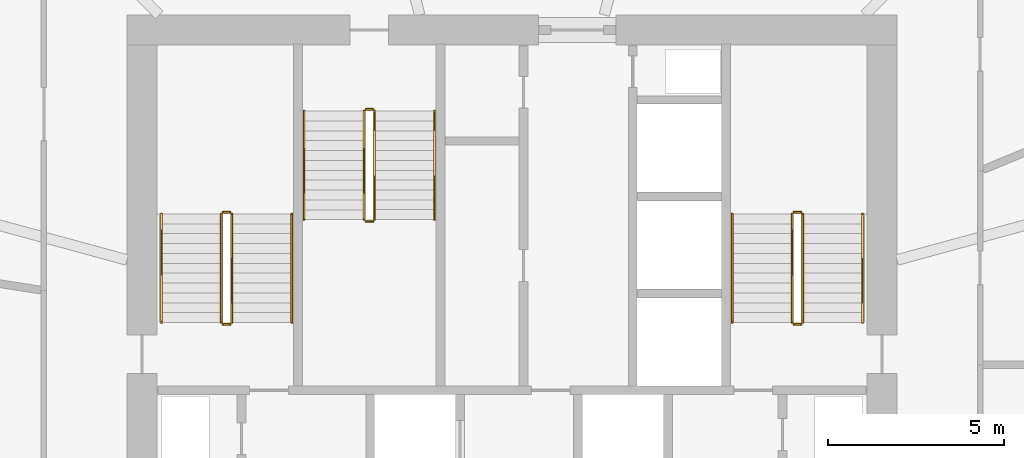
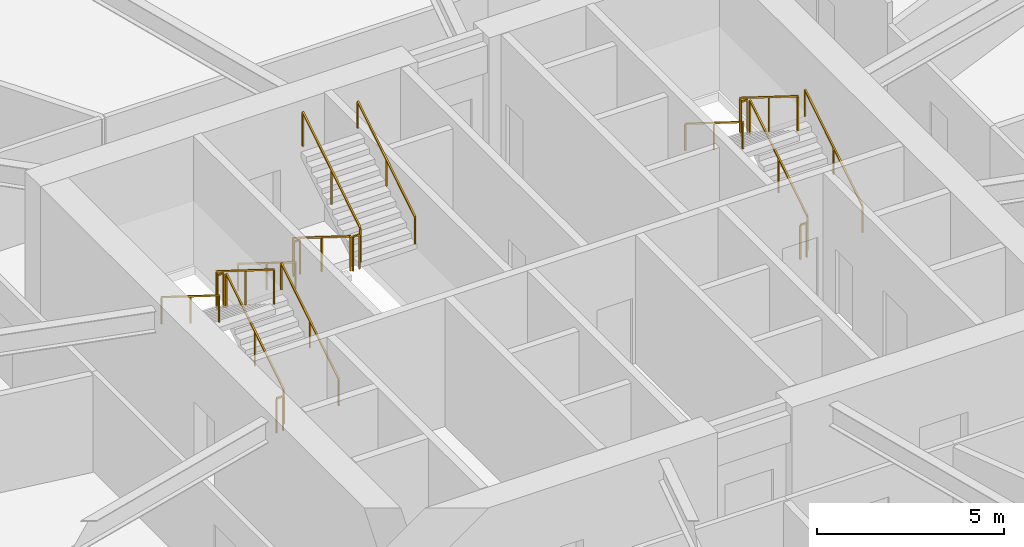
# One storey, part 25 of 25: 18 railings.
"""IFC4 building model written with IfcOpenShell, lengths in metres."""

from ifc_helpers import new_model, si_unit, direction, frame, origin, origin_2d, place, context, subcontext, project, spatial, rectangle, extrude, material, type_object, element, save


model = new_model("IFC4")

# Units and contexts
model_context = context("Model", 3, precision=1e-05, world=origin(), true_north=direction((0.0, 1.0)))
body_context = subcontext(model_context, "Body", "Model", "MODEL_VIEW")
ifc_project = project(units=[si_unit("LENGTHUNIT", "METRE"), si_unit("AREAUNIT", "SQUARE_METRE"), si_unit("VOLUMEUNIT", "CUBIC_METRE"), si_unit("PLANEANGLEUNIT", "RADIAN"), si_unit("MASSUNIT", "GRAM", prefix="KILO")], contexts=[model_context])

# Site, building, storey
site_placement = place(None, origin())
site = spatial("IfcSite", under=ifc_project, at=site_placement, CompositionType="ELEMENT")
building_placement = place(site_placement, origin())
building = spatial("IfcBuilding", under=site, at=building_placement, Name="Zuhravey Tower", CompositionType="ELEMENT")
storey_placement = place(building_placement, frame((0.0, 0.0, 70.800048828125)))
storey = spatial("IfcBuildingStorey", under=building, at=storey_placement, Name="L17", CompositionType="ELEMENT", Elevation=70.800048828125)

# Railings
ifc_material_1 = material(Name="Brushed stainless steel", Category="steel")
railing_type_1 = type_object("IfcRailingType", Name="Stair Wall Handrail 900", PredefinedType="HANDRAIL", material=ifc_material_1)
railing_1_placement = place(storey_placement, frame((29.75, 33.199951171875, 0.175048828125)))
element("IfcRailing", 1, at=railing_1_placement, inside=storey, type_object=railing_type_1, Name="L17 ST1 stair handrail 1", PredefinedType="HANDRAIL", context=body_context, shape_type="SweptSolid", body=[
    extrude(rectangle(XDim=0.048095703125, YDim=0.048095703125, at=origin_2d()), frame((0.0, 0.001708984375, 0.876953125), z_axis=(0.0, 0.848028513186, 0.529950602248), x_axis=(-1.0, 0.0, 0.0)), (0.0, 0.0, 1.0), 3.6279296875),
    extrude(rectangle(XDim=0.0419921875, YDim=0.0419921875, at=origin_2d()), origin(), (0.0, 0.0, 1.0), 0.849853515625),
    extrude(rectangle(XDim=0.0419921875, YDim=0.0419921875, at=origin_2d()), frame((0.0, 1.5400390625, 0.96240234375)), (0.0, 0.0, 1.0), 0.849853515625),
    extrude(rectangle(XDim=0.0419921875, YDim=0.0419921875, at=origin_2d()), frame((0.0, 3.080078125, 1.9248046875)), (0.0, 0.0, 1.0), 0.849853515625),
])
railing_2_placement = place(storey_placement, frame((26.050048828125, 36.280029296875, 2.27490234375)))
element("IfcRailing", 2, at=railing_2_placement, inside=storey, type_object=railing_type_1, Name="L17 ST1 stair handrail 2", PredefinedType="HANDRAIL", context=body_context, shape_type="SweptSolid", body=[
    extrude(rectangle(XDim=0.048095703125, YDim=0.048095703125, at=origin_2d()), frame((0.0, -0.001708984375, 0.876953125), z_axis=(0.0, -0.847998304005, 0.529998940003), x_axis=(1.0, 0.0, 0.0)), (0.0, 0.0, 1.0), 3.628173828125),
    extrude(rectangle(XDim=0.0419921875, YDim=0.0419921875, at=origin_2d()), origin(), (0.0, 0.0, 1.0), 0.849853515625),
    extrude(rectangle(XDim=0.0419921875, YDim=0.0419921875, at=origin_2d()), frame((0.0, -1.5400390625, 0.96240234375)), (0.0, 0.0, 1.0), 0.849853515625),
    extrude(rectangle(XDim=0.0419921875, YDim=0.0419921875, at=origin_2d()), frame((0.0, -3.080078125, 1.925048828125)), (0.0, 0.0, 1.0), 0.849853515625),
])
railing_3_placement = place(storey_placement, frame((45.949951171875, 33.199951171875, 0.175048828125)))
element("IfcRailing", 3, at=railing_3_placement, inside=storey, type_object=railing_type_1, Name="L17 ST2 stair handrail 1", PredefinedType="HANDRAIL", context=body_context, shape_type="SweptSolid", body=[
    extrude(rectangle(XDim=0.048095703125, YDim=0.048095703125, at=origin_2d()), frame((0.0, 0.001708984375, 0.876953125), z_axis=(0.0, 0.848028513186, 0.529950602248), x_axis=(-1.0, 0.0, 0.0)), (0.0, 0.0, 1.0), 3.6279296875),
    extrude(rectangle(XDim=0.0419921875, YDim=0.0419921875, at=origin_2d()), origin(), (0.0, 0.0, 1.0), 0.849853515625),
    extrude(rectangle(XDim=0.0419921875, YDim=0.0419921875, at=origin_2d()), frame((0.0, 1.5400390625, 0.96240234375)), (0.0, 0.0, 1.0), 0.849853515625),
    extrude(rectangle(XDim=0.0419921875, YDim=0.0419921875, at=origin_2d()), frame((0.0, 3.080078125, 1.9248046875)), (0.0, 0.0, 1.0), 0.849853515625),
])
railing_4_placement = place(storey_placement, frame((42.25, 36.280029296875, 2.27490234375)))
element("IfcRailing", 4, at=railing_4_placement, inside=storey, type_object=railing_type_1, Name="L17 ST2 stair handrail 2", PredefinedType="HANDRAIL", context=body_context, shape_type="SweptSolid", body=[
    extrude(rectangle(XDim=0.048095703125, YDim=0.048095703125, at=origin_2d()), frame((0.0, -0.001708984375, 0.876953125), z_axis=(0.0, -0.847998304005, 0.529998940003), x_axis=(1.0, 0.0, 0.0)), (0.0, 0.0, 1.0), 3.628173828125),
    extrude(rectangle(XDim=0.0419921875, YDim=0.0419921875, at=origin_2d()), origin(), (0.0, 0.0, 1.0), 0.849853515625),
    extrude(rectangle(XDim=0.0419921875, YDim=0.0419921875, at=origin_2d()), frame((0.0, -1.5400390625, 0.96240234375)), (0.0, 0.0, 1.0), 0.849853515625),
    extrude(rectangle(XDim=0.0419921875, YDim=0.0419921875, at=origin_2d()), frame((0.0, -3.080078125, 1.925048828125)), (0.0, 0.0, 1.0), 0.849853515625),
])
railing_5_placement = place(storey_placement, frame((30.10009765625, 39.199951171875, 0.175048828125)))
element("IfcRailing", 5, at=railing_5_placement, inside=storey, type_object=railing_type_1, Name="L17 ST3 stair handrail 1", PredefinedType="HANDRAIL", context=body_context, shape_type="SweptSolid", body=[
    extrude(rectangle(XDim=0.048095703125, YDim=0.048095703125, at=origin_2d()), frame((0.0, -0.001708984375, 0.876953125), z_axis=(0.0, -0.848009633417, 0.529980812513), x_axis=(1.0, 0.0, 0.0)), (0.0, 0.0, 1.0), 3.6279296875),
    extrude(rectangle(XDim=0.0419921875, YDim=0.0419921875, at=origin_2d()), origin(), (0.0, 0.0, 1.0), 0.849853515625),
    extrude(rectangle(XDim=0.0419921875, YDim=0.0419921875, at=origin_2d()), frame((0.0, -1.5400390625, 0.96240234375)), (0.0, 0.0, 1.0), 0.849853515625),
    extrude(rectangle(XDim=0.0419921875, YDim=0.0419921875, at=origin_2d()), frame((0.0, -3.079833984375, 1.9248046875)), (0.0, 0.0, 1.0), 0.849853515625),
])
railing_6_placement = place(storey_placement, frame((33.800048828125, 36.1201171875, 2.27490234375)))
element("IfcRailing", 6, at=railing_6_placement, inside=storey, type_object=railing_type_1, Name="L17 ST3 stair handrail 2", PredefinedType="HANDRAIL", context=body_context, shape_type="SweptSolid", body=[
    extrude(rectangle(XDim=0.048095703125, YDim=0.048095703125, at=origin_2d()), frame((0.0, 0.001708984375, 0.876953125), z_axis=(0.0, 0.847979421464, 0.530029150871), x_axis=(-1.0, 0.0, 0.0)), (0.0, 0.0, 1.0), 3.6279296875),
    extrude(rectangle(XDim=0.0419921875, YDim=0.0419921875, at=origin_2d()), origin(), (0.0, 0.0, 1.0), 0.849853515625),
    extrude(rectangle(XDim=0.0419921875, YDim=0.0419921875, at=origin_2d()), frame((0.0, 1.5400390625, 0.96240234375)), (0.0, 0.0, 1.0), 0.849853515625),
    extrude(rectangle(XDim=0.0419921875, YDim=0.0419921875, at=origin_2d()), frame((0.0, 3.079833984375, 1.925048828125)), (0.0, 0.0, 1.0), 0.849853515625),
])
ifc_material_2 = material(Name="Painted tubular steel", Category="steel")
railing_type_2 = type_object("IfcRailingType", Name="Stair Well Guardrail 1150", PredefinedType="GUARDRAIL", material=ifc_material_2)
railing_7_placement = place(storey_placement, frame((28.050048828125, 33.199951171875, 0.175048828125)))
element("IfcRailing", 7, at=railing_7_placement, inside=storey, type_object=railing_type_2, Name="L17 ST1 stair guard 1", PredefinedType="GUARDRAIL", context=body_context, shape_type="SweptSolid", body=[
    extrude(rectangle(XDim=0.048095703125, YDim=0.048095703125, at=origin_2d()), frame((0.0, 0.001708984375, 1.126953125), z_axis=(0.0, 0.848028513186, 0.529950602248), x_axis=(-1.0, 0.0, 0.0)), (0.0, 0.0, 1.0), 3.6279296875),
    extrude(rectangle(XDim=0.0419921875, YDim=0.0419921875, at=origin_2d()), origin(), (0.0, 0.0, 1.0), 1.099853515625),
    extrude(rectangle(XDim=0.0419921875, YDim=0.0419921875, at=origin_2d()), frame((0.0, 1.5400390625, 0.96240234375)), (0.0, 0.0, 1.0), 1.099853515625),
    extrude(rectangle(XDim=0.0419921875, YDim=0.0419921875, at=origin_2d()), frame((0.0, 3.080078125, 1.9248046875)), (0.0, 0.0, 1.0), 1.099853515625),
])
railing_8_placement = place(storey_placement, frame((28.0, 36.330078125, 2.099853515625)))
element("IfcRailing", 8, at=railing_8_placement, inside=storey, type_object=railing_type_2, Name="L17 ST1 stair guard 2", PredefinedType="GUARDRAIL", context=body_context, shape_type="SweptSolid", body=[
    extrude(rectangle(XDim=0.048095703125, YDim=0.048095703125, at=origin_2d()), frame((-0.001953125, 0.0, 1.1259765625), z_axis=(-1.0, 0.0, 0.0), x_axis=(0.0, -1.0, 0.0)), (0.0, 0.0, 1.0), 0.196044921875),
    extrude(rectangle(XDim=0.0419921875, YDim=0.0419921875, at=origin_2d()), origin(), (0.0, 0.0, 1.0), 1.099853515625),
    extrude(rectangle(XDim=0.0419921875, YDim=0.0419921875, at=origin_2d()), frame((-0.199951171875, 0.0, 0.0)), (0.0, 0.0, 1.0), 1.099853515625),
])
railing_9_placement = place(storey_placement, frame((27.75, 36.280029296875, 2.27490234375)))
element("IfcRailing", 9, at=railing_9_placement, inside=storey, type_object=railing_type_2, Name="L17 ST1 stair guard 3", PredefinedType="GUARDRAIL", context=body_context, shape_type="SweptSolid", body=[
    extrude(rectangle(XDim=0.048095703125, YDim=0.048095703125, at=origin_2d()), frame((0.0, -0.001708984375, 1.126953125), z_axis=(0.0, -0.847998304005, 0.529998940003), x_axis=(1.0, 0.0, 0.0)), (0.0, 0.0, 1.0), 3.628173828125),
    extrude(rectangle(XDim=0.0419921875, YDim=0.0419921875, at=origin_2d()), origin(), (0.0, 0.0, 1.0), 1.099853515625),
    extrude(rectangle(XDim=0.0419921875, YDim=0.0419921875, at=origin_2d()), frame((0.0, -1.5400390625, 0.96240234375)), (0.0, 0.0, 1.0), 1.099853515625),
    extrude(rectangle(XDim=0.0419921875, YDim=0.0419921875, at=origin_2d()), frame((0.0, -3.080078125, 1.925048828125)), (0.0, 0.0, 1.0), 1.099853515625),
])
railing_10_placement = place(storey_placement, frame((28.0, 33.14990234375, 0.0)))
element("IfcRailing", 10, at=railing_10_placement, inside=storey, type_object=railing_type_2, Name="L17 ST1 stair guard 4", PredefinedType="GUARDRAIL", context=body_context, shape_type="SweptSolid", body=[
    extrude(rectangle(XDim=0.048095703125, YDim=0.048095703125, at=origin_2d()), frame((-0.001953125, 0.0, 1.1259765625), z_axis=(-1.0, 0.0, 0.0), x_axis=(0.0, -1.0, 0.0)), (0.0, 0.0, 1.0), 0.196044921875),
    extrude(rectangle(XDim=0.0419921875, YDim=0.0419921875, at=origin_2d()), origin(), (0.0, 0.0, 1.0), 1.099853515625),
    extrude(rectangle(XDim=0.0419921875, YDim=0.0419921875, at=origin_2d()), frame((-0.199951171875, 0.0, 0.0)), (0.0, 0.0, 1.0), 1.099853515625),
])
railing_11_placement = place(storey_placement, frame((44.25, 33.199951171875, 0.175048828125)))
element("IfcRailing", 11, at=railing_11_placement, inside=storey, type_object=railing_type_2, Name="L17 ST2 stair guard 1", PredefinedType="GUARDRAIL", context=body_context, shape_type="SweptSolid", body=[
    extrude(rectangle(XDim=0.048095703125, YDim=0.048095703125, at=origin_2d()), frame((0.0, 0.001708984375, 1.126953125), z_axis=(0.0, 0.848028513186, 0.529950602248), x_axis=(-1.0, 0.0, 0.0)), (0.0, 0.0, 1.0), 3.6279296875),
    extrude(rectangle(XDim=0.0419921875, YDim=0.0419921875, at=origin_2d()), origin(), (0.0, 0.0, 1.0), 1.099853515625),
    extrude(rectangle(XDim=0.0419921875, YDim=0.0419921875, at=origin_2d()), frame((0.0, 1.5400390625, 0.96240234375)), (0.0, 0.0, 1.0), 1.099853515625),
    extrude(rectangle(XDim=0.0419921875, YDim=0.0419921875, at=origin_2d()), frame((0.0, 3.080078125, 1.9248046875)), (0.0, 0.0, 1.0), 1.099853515625),
])
railing_12_placement = place(storey_placement, frame((44.199951171875, 36.330078125, 2.099853515625)))
element("IfcRailing", 12, at=railing_12_placement, inside=storey, type_object=railing_type_2, Name="L17 ST2 stair guard 2", PredefinedType="GUARDRAIL", context=body_context, shape_type="SweptSolid", body=[
    extrude(rectangle(XDim=0.048095703125, YDim=0.048095703125, at=origin_2d()), frame((-0.001953125, 0.0, 1.1259765625), z_axis=(-1.0, 0.0, 0.0), x_axis=(0.0, -1.0, 0.0)), (0.0, 0.0, 1.0), 0.196044921875),
    extrude(rectangle(XDim=0.0419921875, YDim=0.0419921875, at=origin_2d()), origin(), (0.0, 0.0, 1.0), 1.099853515625),
    extrude(rectangle(XDim=0.0419921875, YDim=0.0419921875, at=origin_2d()), frame((-0.199951171875, 0.0, 0.0)), (0.0, 0.0, 1.0), 1.099853515625),
])
railing_13_placement = place(storey_placement, frame((43.949951171875, 36.280029296875, 2.27490234375)))
element("IfcRailing", 13, at=railing_13_placement, inside=storey, type_object=railing_type_2, Name="L17 ST2 stair guard 3", PredefinedType="GUARDRAIL", context=body_context, shape_type="SweptSolid", body=[
    extrude(rectangle(XDim=0.048095703125, YDim=0.048095703125, at=origin_2d()), frame((0.0, -0.001708984375, 1.126953125), z_axis=(0.0, -0.847998304005, 0.529998940003), x_axis=(1.0, 0.0, 0.0)), (0.0, 0.0, 1.0), 3.628173828125),
    extrude(rectangle(XDim=0.0419921875, YDim=0.0419921875, at=origin_2d()), origin(), (0.0, 0.0, 1.0), 1.099853515625),
    extrude(rectangle(XDim=0.0419921875, YDim=0.0419921875, at=origin_2d()), frame((0.0, -1.5400390625, 0.96240234375)), (0.0, 0.0, 1.0), 1.099853515625),
    extrude(rectangle(XDim=0.0419921875, YDim=0.0419921875, at=origin_2d()), frame((0.0, -3.080078125, 1.925048828125)), (0.0, 0.0, 1.0), 1.099853515625),
])
railing_14_placement = place(storey_placement, frame((44.199951171875, 33.14990234375, 0.0)))
element("IfcRailing", 14, at=railing_14_placement, inside=storey, type_object=railing_type_2, Name="L17 ST2 stair guard 4", PredefinedType="GUARDRAIL", context=body_context, shape_type="SweptSolid", body=[
    extrude(rectangle(XDim=0.048095703125, YDim=0.048095703125, at=origin_2d()), frame((-0.001953125, 0.0, 1.1259765625), z_axis=(-1.0, 0.0, 0.0), x_axis=(0.0, -1.0, 0.0)), (0.0, 0.0, 1.0), 0.196044921875),
    extrude(rectangle(XDim=0.0419921875, YDim=0.0419921875, at=origin_2d()), origin(), (0.0, 0.0, 1.0), 1.099853515625),
    extrude(rectangle(XDim=0.0419921875, YDim=0.0419921875, at=origin_2d()), frame((-0.199951171875, 0.0, 0.0)), (0.0, 0.0, 1.0), 1.099853515625),
])
railing_15_placement = place(storey_placement, frame((31.800048828125, 39.199951171875, 0.175048828125)))
element("IfcRailing", 15, at=railing_15_placement, inside=storey, type_object=railing_type_2, Name="L17 ST3 stair guard 1", PredefinedType="GUARDRAIL", context=body_context, shape_type="SweptSolid", body=[
    extrude(rectangle(XDim=0.048095703125, YDim=0.048095703125, at=origin_2d()), frame((0.0, -0.001708984375, 1.126953125), z_axis=(0.0, -0.848009633417, 0.529980812513), x_axis=(1.0, 0.0, 0.0)), (0.0, 0.0, 1.0), 3.6279296875),
    extrude(rectangle(XDim=0.0419921875, YDim=0.0419921875, at=origin_2d()), origin(), (0.0, 0.0, 1.0), 1.099853515625),
    extrude(rectangle(XDim=0.0419921875, YDim=0.0419921875, at=origin_2d()), frame((0.0, -1.5400390625, 0.96240234375)), (0.0, 0.0, 1.0), 1.099853515625),
    extrude(rectangle(XDim=0.0419921875, YDim=0.0419921875, at=origin_2d()), frame((0.0, -3.079833984375, 1.9248046875)), (0.0, 0.0, 1.0), 1.099853515625),
])
railing_16_placement = place(storey_placement, frame((31.85009765625, 36.070068359375, 2.099853515625)))
element("IfcRailing", 16, at=railing_16_placement, inside=storey, type_object=railing_type_2, Name="L17 ST3 stair guard 2", PredefinedType="GUARDRAIL", context=body_context, shape_type="SweptSolid", body=[
    extrude(rectangle(XDim=0.048095703125, YDim=0.048095703125, at=origin_2d()), frame((0.001953125, 0.0, 1.1259765625), z_axis=(1.0, 0.0, 0.0), x_axis=(0.0, 1.0, 0.0)), (0.0, 0.0, 1.0), 0.196044921875),
    extrude(rectangle(XDim=0.0419921875, YDim=0.0419921875, at=origin_2d()), origin(), (0.0, 0.0, 1.0), 1.099853515625),
    extrude(rectangle(XDim=0.0419921875, YDim=0.0419921875, at=origin_2d()), frame((0.199951171875, 0.0, 0.0)), (0.0, 0.0, 1.0), 1.099853515625),
])
railing_17_placement = place(storey_placement, frame((32.10009765625, 36.1201171875, 2.27490234375)))
element("IfcRailing", 17, at=railing_17_placement, inside=storey, type_object=railing_type_2, Name="L17 ST3 stair guard 3", PredefinedType="GUARDRAIL", context=body_context, shape_type="SweptSolid", body=[
    extrude(rectangle(XDim=0.048095703125, YDim=0.048095703125, at=origin_2d()), frame((0.0, 0.001708984375, 1.126953125), z_axis=(0.0, 0.847979421464, 0.530029150871), x_axis=(-1.0, 0.0, 0.0)), (0.0, 0.0, 1.0), 3.6279296875),
    extrude(rectangle(XDim=0.0419921875, YDim=0.0419921875, at=origin_2d()), origin(), (0.0, 0.0, 1.0), 1.099853515625),
    extrude(rectangle(XDim=0.0419921875, YDim=0.0419921875, at=origin_2d()), frame((0.0, 1.5400390625, 0.96240234375)), (0.0, 0.0, 1.0), 1.099853515625),
    extrude(rectangle(XDim=0.0419921875, YDim=0.0419921875, at=origin_2d()), frame((0.0, 3.079833984375, 1.925048828125)), (0.0, 0.0, 1.0), 1.099853515625),
])
railing_18_placement = place(storey_placement, frame((31.85009765625, 39.25, 0.0)))
element("IfcRailing", 18, at=railing_18_placement, inside=storey, type_object=railing_type_2, Name="L17 ST3 stair guard 4", PredefinedType="GUARDRAIL", context=body_context, shape_type="SweptSolid", body=[
    extrude(rectangle(XDim=0.048095703125, YDim=0.048095703125, at=origin_2d()), frame((0.001953125, 0.0, 1.1259765625), z_axis=(1.0, 0.0, 0.0), x_axis=(0.0, 1.0, 0.0)), (0.0, 0.0, 1.0), 0.196044921875),
    extrude(rectangle(XDim=0.0419921875, YDim=0.0419921875, at=origin_2d()), origin(), (0.0, 0.0, 1.0), 1.099853515625),
    extrude(rectangle(XDim=0.0419921875, YDim=0.0419921875, at=origin_2d()), frame((0.199951171875, 0.0, 0.0)), (0.0, 0.0, 1.0), 1.099853515625),
])

save(model, "model.ifc")
